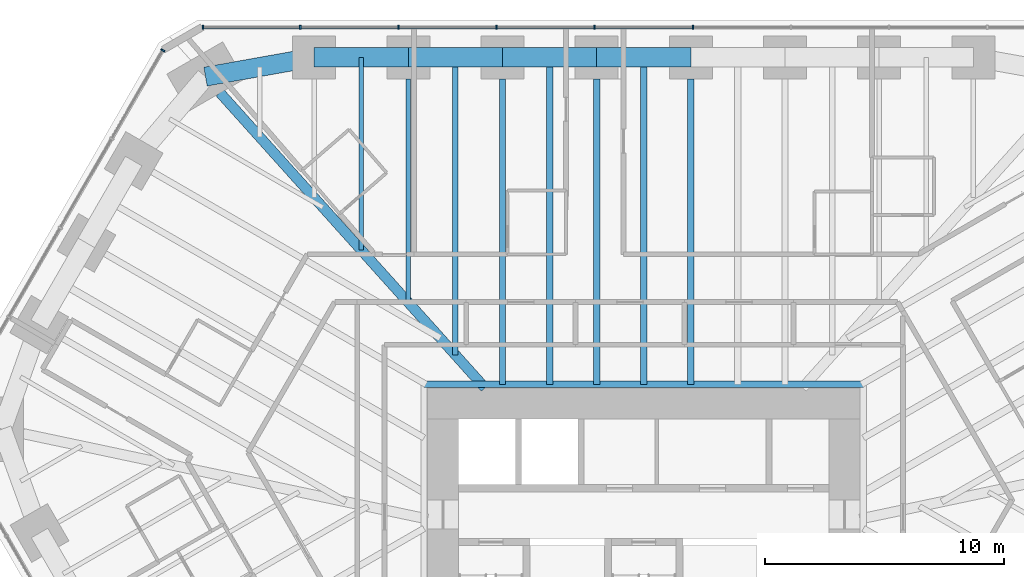
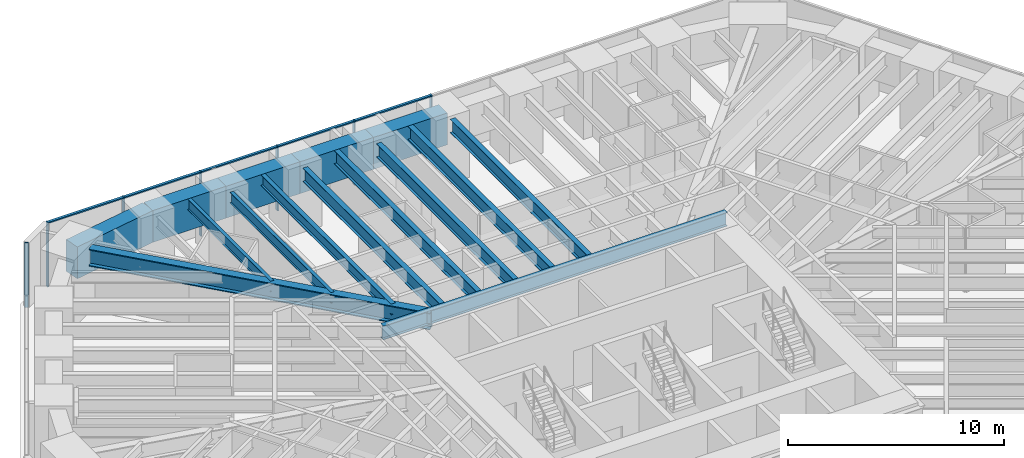
# One storey, part 8 of 17: 15 beams, 12 members, 2 elements without a shape of their own.
"""IFC4 building model written with IfcOpenShell, lengths in metres."""

from ifc_helpers import new_model, si_unit, direction, frame, origin, origin_2d, place, context, subcontext, project, spatial, rectangle, i_section, extrude, material, material_profile, profile_set, type_object, element, aggregate, save


model = new_model("IFC4")

# Units and contexts
model_context = context("Model", 3, precision=1e-05, world=origin(), true_north=direction((0.0, 1.0)))
body_context = subcontext(model_context, "Body", "Model", "MODEL_VIEW")
ifc_project = project(units=[si_unit("LENGTHUNIT", "METRE"), si_unit("AREAUNIT", "SQUARE_METRE"), si_unit("VOLUMEUNIT", "CUBIC_METRE"), si_unit("PLANEANGLEUNIT", "RADIAN"), si_unit("MASSUNIT", "GRAM", prefix="KILO")], contexts=[model_context])

# Site, building, storey
site_placement = place(None, origin())
site = spatial("IfcSite", under=ifc_project, at=site_placement, CompositionType="ELEMENT")
building_placement = place(site_placement, origin())
building = spatial("IfcBuilding", under=site, at=building_placement, Name="Sandreach Pilgrim Tower", CompositionType="ELEMENT")
storey_placement = place(building_placement, frame((0.0, 0.0, 138.60009765625)))
storey = spatial("IfcBuildingStorey", under=building, at=storey_placement, Name="L34", CompositionType="ELEMENT", Elevation=138.60009765625)

# Curtain wall, members
ifc_material_1 = material(Name="Aluminium framed curtain wall", Category="aluminium")
curtain_wall_type = type_object("IfcCurtainWallType", Name="Hotel tower curtain wall", PredefinedType="NOTDEFINED", material=ifc_material_1)
curtain_wall_1_placement = place(storey_placement, origin())
curtain_wall_1 = element("IfcCurtainWall", 1, at=curtain_wall_1_placement, inside=storey, type_object=curtain_wall_type, Name="CW-2 L34 N", PredefinedType="NOTDEFINED")
ifc_material_2 = material(Name="Aluminium extrusion", Category="aluminium")
ifc_material_profile_1 = material_profile(ifc_material_2, rectangle(XDim=0.06494140625, YDim=0.179931640625, at=origin_2d()), Name="CW-2M 65X180")
ifc_profile_set_1 = profile_set([ifc_material_profile_1], Name="Aluminium extrusion")
member_type_1 = type_object("IfcMemberType", Name="CW-2 mullion", PredefinedType="MULLION", material=ifc_profile_set_1)
member_1_placement = place(storey_placement, frame((-18.448974609375, 22.493896484375, 0.0), z_axis=(0.0, 0.0, 1.0), x_axis=(1.0, 0.0, 0.0)))
member_1 = element("IfcMember", 2, at=member_1_placement, type_object=member_type_1, Name="CW-2 mullion 1", PredefinedType="MULLION", context=body_context, shape_type="SweptSolid", body=[
    extrude(rectangle(XDim=0.06494140625, YDim=0.179931640625, at=origin_2d()), origin(), (0.0, 0.0, 1.0), 3.639892578125),
])
member_2_placement = place(storey_placement, frame((-14.37451171875, 22.493896484375, 0.0), z_axis=(0.0, 0.0, 1.0), x_axis=(1.0, 0.0, 0.0)))
member_2 = element("IfcMember", 3, at=member_2_placement, type_object=member_type_1, Name="CW-2 mullion 2", PredefinedType="MULLION", context=body_context, shape_type="SweptSolid", body=[
    extrude(rectangle(XDim=0.06494140625, YDim=0.179931640625, at=origin_2d()), origin(), (0.0, 0.0, 1.0), 3.639892578125),
])
member_3_placement = place(storey_placement, frame((-10.267333984375, 22.493896484375, 0.0), z_axis=(0.0, 0.0, 1.0), x_axis=(1.0, 0.0, 0.0)))
member_3 = element("IfcMember", 4, at=member_3_placement, type_object=member_type_1, Name="CW-2 mullion 3", PredefinedType="MULLION", context=body_context, shape_type="SweptSolid", body=[
    extrude(rectangle(XDim=0.06494140625, YDim=0.179931640625, at=origin_2d()), origin(), (0.0, 0.0, 1.0), 3.639892578125),
])
member_4_placement = place(storey_placement, frame((-6.160400390625, 22.493896484375, 0.0), z_axis=(0.0, 0.0, 1.0), x_axis=(1.0, 0.0, 0.0)))
member_4 = element("IfcMember", 5, at=member_4_placement, type_object=member_type_1, Name="CW-2 mullion 4", PredefinedType="MULLION", context=body_context, shape_type="SweptSolid", body=[
    extrude(rectangle(XDim=0.06494140625, YDim=0.179931640625, at=origin_2d()), origin(), (0.0, 0.0, 1.0), 3.639892578125),
])
member_5_placement = place(storey_placement, frame((-2.053466796875, 22.493896484375, 0.0), z_axis=(0.0, 0.0, 1.0), x_axis=(1.0, 0.0, 0.0)))
member_5 = element("IfcMember", 6, at=member_5_placement, type_object=member_type_1, Name="CW-2 mullion 5", PredefinedType="MULLION", context=body_context, shape_type="SweptSolid", body=[
    extrude(rectangle(XDim=0.06494140625, YDim=0.179931640625, at=origin_2d()), origin(), (0.0, 0.0, 1.0), 3.639892578125),
])
member_6_placement = place(storey_placement, frame((2.053466796875, 22.493896484375, 0.0), z_axis=(0.0, 0.0, 1.0), x_axis=(1.0, 0.0, 0.0)))
member_6 = element("IfcMember", 7, at=member_6_placement, type_object=member_type_1, Name="CW-2 mullion 6", PredefinedType="MULLION", context=body_context, shape_type="SweptSolid", body=[
    extrude(rectangle(XDim=0.06494140625, YDim=0.179931640625, at=origin_2d()), origin(), (0.0, 0.0, 1.0), 3.639892578125),
])

# Curtain wall, member
curtain_wall_2_placement = place(storey_placement, origin())
curtain_wall_2 = element("IfcCurtainWall", 8, at=curtain_wall_2_placement, inside=storey, type_object=curtain_wall_type, Name="CW-2 L34 NW", PredefinedType="NOTDEFINED")
member_7_placement = place(storey_placement, frame((-20.125732421875, 21.525634765625, 0.0), z_axis=(0.0, 0.0, 1.0), x_axis=(0.5, 0.866025403784, 0.0)))
member_7 = element("IfcMember", 9, at=member_7_placement, type_object=member_type_1, Name="CW-2 mullion 5", PredefinedType="MULLION", context=body_context, shape_type="SweptSolid", body=[
    extrude(rectangle(XDim=0.06494140625, YDim=0.179931640625, at=origin_2d()), origin(), (0.0, 0.0, 1.0), 3.639892578125),
])
aggregate(curtain_wall_2, [member_7])

# Member
ifc_material_3 = material(Name="Aluminium extrusion", Category="aluminium")
ifc_material_profile_2 = material_profile(ifc_material_3, rectangle(XDim=0.139892578125, YDim=0.070068359375, at=origin_2d()), Name="CW-2T 140X70")
ifc_profile_set_2 = profile_set([ifc_material_profile_2], Name="Aluminium extrusion")
member_type_2 = type_object("IfcMemberType", Name="CW-2 transom", PredefinedType="USERDEFINED", material=ifc_profile_set_2)
member_8_placement = place(storey_placement, frame((-18.416259765625, 22.493896484375, 3.60498046875), z_axis=(1.0, 0.0, 0.0), x_axis=(0.0, 1.0, 0.0)))
member_8 = element("IfcMember", 10, at=member_8_placement, type_object=member_type_2, Name="CW-2 head transom 1", ObjectType="TRANSOM", PredefinedType="USERDEFINED", context=body_context, shape_type="SweptSolid", body=[
    extrude(rectangle(XDim=0.139892578125, YDim=0.070068359375, at=origin_2d()), origin(), (0.0, 0.0, 1.0), 4.00927734375),
])

member_9_placement = place(storey_placement, frame((-14.341796875, 22.493896484375, 3.60498046875), z_axis=(1.0, 0.0, 0.0), x_axis=(0.0, 1.0, 0.0)))
member_9 = element("IfcMember", 11, at=member_9_placement, type_object=member_type_2, Name="CW-2 head transom 2", ObjectType="TRANSOM", PredefinedType="USERDEFINED", context=body_context, shape_type="SweptSolid", body=[
    extrude(rectangle(XDim=0.139892578125, YDim=0.070068359375, at=origin_2d()), origin(), (0.0, 0.0, 1.0), 4.041748046875),
])

member_10_placement = place(storey_placement, frame((-10.23486328125, 22.493896484375, 3.60498046875), z_axis=(1.0, 0.0, 0.0), x_axis=(0.0, 1.0, 0.0)))
member_10 = element("IfcMember", 12, at=member_10_placement, type_object=member_type_2, Name="CW-2 head transom 3", ObjectType="TRANSOM", PredefinedType="USERDEFINED", context=body_context, shape_type="SweptSolid", body=[
    extrude(rectangle(XDim=0.139892578125, YDim=0.070068359375, at=origin_2d()), origin(), (0.0, 0.0, 1.0), 4.0419921875),
])

member_11_placement = place(storey_placement, frame((-6.1279296875, 22.493896484375, 3.60498046875), z_axis=(1.0, 0.0, 0.0), x_axis=(0.0, 1.0, 0.0)))
member_11 = element("IfcMember", 13, at=member_11_placement, type_object=member_type_2, Name="CW-2 head transom 4", ObjectType="TRANSOM", PredefinedType="USERDEFINED", context=body_context, shape_type="SweptSolid", body=[
    extrude(rectangle(XDim=0.139892578125, YDim=0.070068359375, at=origin_2d()), origin(), (0.0, 0.0, 1.0), 4.0419921875),
])

member_12_placement = place(storey_placement, frame((-2.02099609375, 22.493896484375, 3.60498046875), z_axis=(1.0, 0.0, 0.0), x_axis=(0.0, 1.0, 0.0)))
member_12 = element("IfcMember", 14, at=member_12_placement, type_object=member_type_2, Name="CW-2 head transom 5", ObjectType="TRANSOM", PredefinedType="USERDEFINED", context=body_context, shape_type="SweptSolid", body=[
    extrude(rectangle(XDim=0.139892578125, YDim=0.070068359375, at=origin_2d()), origin(), (0.0, 0.0, 1.0), 4.0419921875),
])

aggregate(curtain_wall_1, [member_1, member_2, member_3, member_4, member_5, member_6, member_8, member_9, member_10, member_11, member_12])

# Beams
ifc_material_4 = material(Name="Steel ASTM A992 Grade 50", Category="steel")
ifc_material_profile_3 = material_profile(ifc_material_4, i_section(OverallWidth=0.2666015625, OverallDepth=0.77978515625, WebThickness=0.0166015625, FlangeThickness=0.030029296875, at=origin_2d()), Name="W30X148")
ifc_profile_set_3 = profile_set([ifc_material_profile_3], Name="Steel ASTM A992 Grade 50")
beam_type_1 = type_object("IfcBeamType", Name="Core edge beam W30X148", PredefinedType="BEAM", material=ifc_profile_set_3)
beam_1_placement = place(storey_placement, frame((-9.193359375, 7.54345703125, 3.25), z_axis=(1.0, 0.0, 0.0), x_axis=(0.0, 1.0, 0.0)))
element("IfcBeam", 15, at=beam_1_placement, inside=storey, type_object=beam_type_1, Name="BM L34 CEN", PredefinedType="BEAM", context=body_context, shape_type="SweptSolid", body=[
    extrude(i_section(OverallWidth=0.2666015625, OverallDepth=0.77978515625, WebThickness=0.0166015625, FlangeThickness=0.030029296875, at=origin_2d()), origin(), (0.0, 0.0, 1.0), 18.38671875),
])
ifc_material_5 = material(Name="Steel ASTM A992 Grade 50", Category="steel")
ifc_material_profile_4 = material_profile(ifc_material_5, i_section(OverallWidth=0.424072265625, OverallDepth=0.965087890625, WebThickness=0.028564453125, FlangeThickness=0.051025390625, at=origin_2d()), Name="W36X361")
ifc_profile_set_4 = profile_set([ifc_material_profile_4], Name="Steel ASTM A992 Grade 50")
beam_type_2 = type_object("IfcBeamType", Name="Corner girder W36X361", PredefinedType="BEAM", material=ifc_profile_set_4)
beam_2_placement = place(storey_placement, frame((-17.738037109375, 19.754150390625, 3.1572265625), z_axis=(0.66811374471, -0.74405915365, 0.0), x_axis=(0.74405915365, 0.66811374471, 0.0)))
element("IfcBeam", 16, at=beam_2_placement, inside=storey, type_object=beam_type_2, Name="BM L34 CG39", PredefinedType="BEAM", context=body_context, shape_type="SweptSolid", body=[
    extrude(i_section(OverallWidth=0.424072265625, OverallDepth=0.965087890625, WebThickness=0.028564453125, FlangeThickness=0.051025390625, at=origin_2d()), origin(), (0.0, 0.0, 1.0), 16.603759765625),
])
ifc_material_6 = material(Name="Steel ASTM A992 Grade 50", Category="steel")
ifc_material_profile_5 = material_profile(ifc_material_6, i_section(OverallWidth=0.1787109375, OverallDepth=0.60205078125, WebThickness=0.010986328125, FlangeThickness=0.014892578125, at=origin_2d()), Name="W24X62")
ifc_profile_set_5 = profile_set([ifc_material_profile_5], Name="Steel ASTM A992 Grade 50")
beam_type_3 = type_object("IfcBeamType", Name="Floor beam W24X62", PredefinedType="BEAM", material=ifc_profile_set_5)
beam_3_placement = place(storey_placement, frame((-9.849853515625, 20.333740234375, 3.3388671875), z_axis=(0.0, -1.0, 0.0), x_axis=(1.0, 0.0, 0.0)))
element("IfcBeam", 17, at=beam_3_placement, inside=storey, type_object=beam_type_3, Name="BM L34 F02", PredefinedType="BEAM", context=body_context, shape_type="SweptSolid", body=[
    extrude(i_section(OverallWidth=0.1787109375, OverallDepth=0.60205078125, WebThickness=0.010986328125, FlangeThickness=0.014892578125, at=origin_2d()), origin(), (0.0, 0.0, 1.0), 9.3642578125),
])
beam_4_placement = place(storey_placement, frame((-11.81982421875, 21.23388671875, 3.3388671875), z_axis=(0.0, -1.0, 0.0), x_axis=(1.0, 0.0, 0.0)))
element("IfcBeam", 18, at=beam_4_placement, inside=storey, type_object=beam_type_3, Name="BM L34 FM01", PredefinedType="BEAM", context=body_context, shape_type="SweptSolid", body=[
    extrude(i_section(OverallWidth=0.1787109375, OverallDepth=0.60205078125, WebThickness=0.010986328125, FlangeThickness=0.014892578125, at=origin_2d()), origin(), (0.0, 0.0, 1.0), 8.070556640625),
])
ifc_material_7 = material(Name="Steel ASTM A992 Grade 50", Category="steel")
ifc_material_profile_6 = material_profile(ifc_material_7, i_section(OverallWidth=0.23046875, OverallDepth=0.6171875, WebThickness=0.01318359375, FlangeThickness=0.022216796875, at=origin_2d()), Name="W24X94")
ifc_profile_set_6 = profile_set([ifc_material_profile_6], Name="Steel ASTM A992 Grade 50")
beam_type_4 = type_object("IfcBeamType", Name="Floor beam W24X94", PredefinedType="BEAM", material=ifc_profile_set_6)
beam_5_placement = place(storey_placement, frame((-7.8798828125, 21.23388671875, 3.331298828125), z_axis=(0.0, -1.0, 0.0), x_axis=(1.0, 0.0, 0.0)))
element("IfcBeam", 19, at=beam_5_placement, inside=storey, type_object=beam_type_4, Name="BM L34 FM02", PredefinedType="BEAM", context=body_context, shape_type="SweptSolid", body=[
    extrude(i_section(OverallWidth=0.23046875, OverallDepth=0.6171875, WebThickness=0.01318359375, FlangeThickness=0.022216796875, at=origin_2d()), origin(), (0.0, 0.0, 1.0), 12.458251953125),
])
ifc_material_8 = material(Name="Steel ASTM A992 Grade 50", Category="steel")
ifc_material_profile_7 = material_profile(ifc_material_8, i_section(OverallWidth=0.2666015625, OverallDepth=0.761962890625, WebThickness=0.014404296875, FlangeThickness=0.021484375, at=origin_2d()), Name="W30X116")
ifc_profile_set_7 = profile_set([ifc_material_profile_7], Name="Steel ASTM A992 Grade 50")
beam_type_5 = type_object("IfcBeamType", Name="Floor beam W30X116", PredefinedType="BEAM", material=ifc_profile_set_7)
for number, where, z_axis, x_axis, name in (
    (20, (-5.909912109375, 20.333740234375, 3.2587890625), (0.0, -1.0, 0.0), (1.0, 0.0, 0.0), "BM L34 F03"),
    (21, (-1.969970703125, 20.333740234375, 3.2587890625), (0.0, -1.0, 0.0), (1.0, 0.0, 0.0), "BM L34 F04"),
    (22, (1.969970703125, 20.333740234375, 3.2587890625), (0.0, -1.0, 0.0), (1.0, 0.0, 0.0), "BM L34 F05"),
):
    element("IfcBeam", number, at=place(storey_placement, frame(where, z_axis=z_axis, x_axis=x_axis)), inside=storey, type_object=beam_type_5, Name=name, PredefinedType="BEAM", context=body_context, shape_type="SweptSolid", body=[
        extrude(i_section(OverallWidth=0.2666015625, OverallDepth=0.761962890625, WebThickness=0.014404296875, FlangeThickness=0.021484375, at=origin_2d()), origin(), (0.0, 0.0, 1.0), 12.790283203125),
    ])
for number, where, z_axis, x_axis, name in (
    (23, (-3.93994140625, 21.23388671875, 3.2587890625), (0.0, -1.0, 0.0), (1.0, 0.0, 0.0), "BM L34 FM03"),
    (24, (0.0, 21.23388671875, 3.2587890625), (0.0, -1.0, 0.0), (1.0, 0.0, 0.0), "BM L34 FM04"),
):
    element("IfcBeam", number, at=place(storey_placement, frame(where, z_axis=z_axis, x_axis=x_axis)), inside=storey, type_object=beam_type_5, Name=name, PredefinedType="BEAM", context=body_context, shape_type="SweptSolid", body=[
        extrude(i_section(OverallWidth=0.2666015625, OverallDepth=0.761962890625, WebThickness=0.014404296875, FlangeThickness=0.021484375, at=origin_2d()), origin(), (0.0, 0.0, 1.0), 13.6904296875),
    ])
ifc_material_9 = material(Name="Concrete 10000 psi", Category="concrete")
ifc_material_profile_8 = material_profile(ifc_material_9, rectangle(XDim=0.800048828125, YDim=1.800048828125, at=origin_2d()), Name="RC800X1800")
ifc_profile_set_8 = profile_set([ifc_material_profile_8], Name="Concrete 10000 psi")
beam_type_6 = type_object("IfcBeamType", Name="Spandrel beam RC800X1800", PredefinedType="SPANDREL", material=ifc_profile_set_8)
for number, where, z_axis, x_axis, name in (
    (25, (-13.789794921875, 21.23388671875, 2.739990234375), (1.0, 0.0, 0.0), (0.0, 1.0, 0.0), "BM L34 SP01"),
    (26, (-9.849853515625, 21.23388671875, 2.739990234375), (1.0, 0.0, 0.0), (0.0, 1.0, 0.0), "BM L34 SP02"),
    (27, (-5.909912109375, 21.23388671875, 2.739990234375), (1.0, 0.0, 0.0), (0.0, 1.0, 0.0), "BM L34 SP03"),
    (28, (-1.969970703125, 21.23388671875, 2.739990234375), (1.0, 0.0, 0.0), (0.0, 1.0, 0.0), "BM L34 SP04"),
):
    element("IfcBeam", number, at=place(storey_placement, frame(where, z_axis=z_axis, x_axis=x_axis)), inside=storey, type_object=beam_type_6, Name=name, PredefinedType="SPANDREL", context=body_context, shape_type="SweptSolid", body=[
        extrude(rectangle(XDim=0.800048828125, YDim=1.800048828125, at=origin_2d()), origin(), (0.0, 0.0, 1.0), 3.93994140625),
    ])
beam_6_placement = place(storey_placement, frame((-18.33935546875, 20.423828125, 2.739990234375), z_axis=(0.984515938739, 0.175295083699, 0.0), x_axis=(-0.175295083699, 0.984515938739, 0.0)))
element("IfcBeam", 29, at=beam_6_placement, inside=storey, type_object=beam_type_6, Name="BM L34 SP39", PredefinedType="SPANDREL", context=body_context, shape_type="SweptSolid", body=[
    extrude(rectangle(XDim=0.800048828125, YDim=1.800048828125, at=origin_2d()), origin(), (0.0, 0.0, 1.0), 4.62109375),
])

save(model, "model.ifc")
